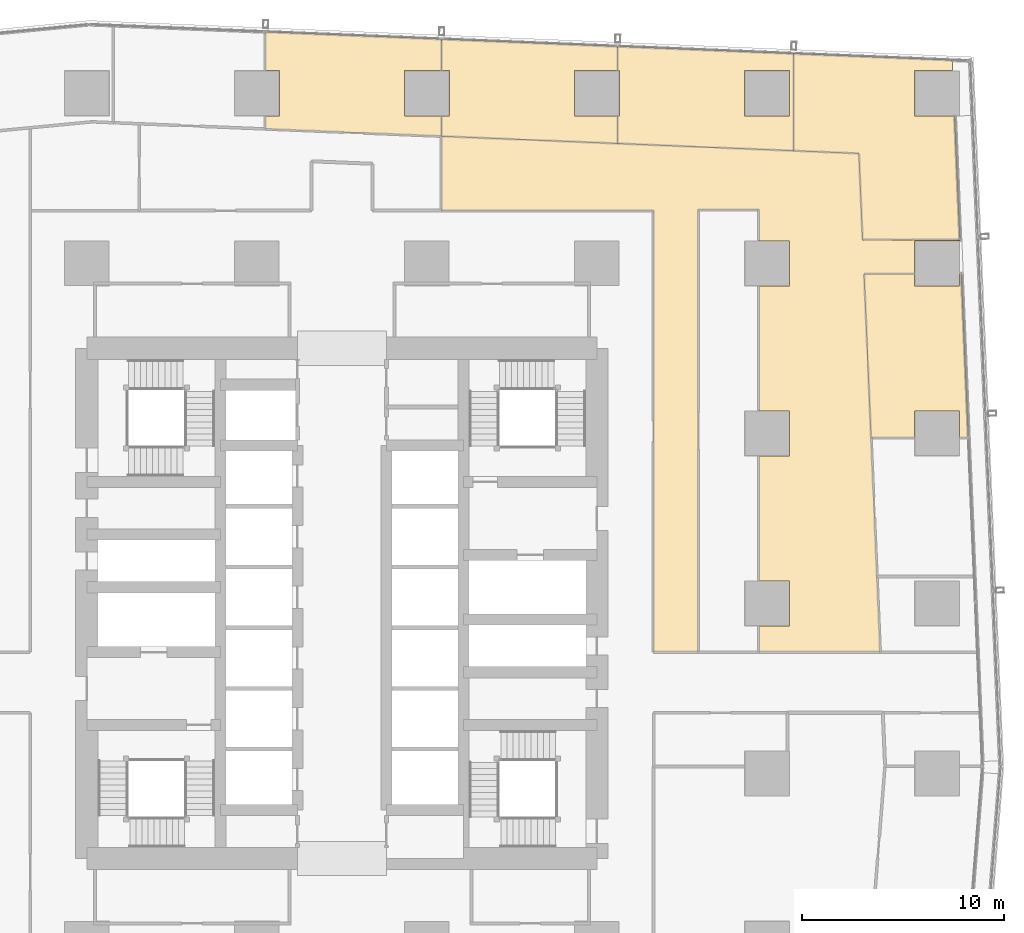
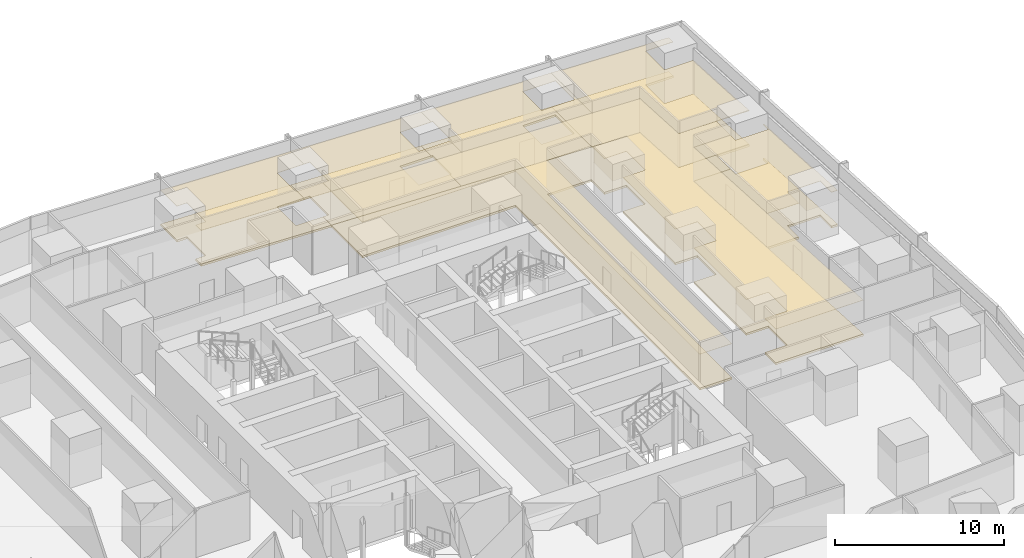
# One storey, part 44 of 44: 12 coverings.
"""IFC4 building model written with IfcOpenShell, lengths in metres."""

from ifc_helpers import new_model, si_unit, direction, frame, origin, place, context, subcontext, project, spatial, polyline, outline, extrude, material, layer, layer_set, type_object, element, save


model = new_model("IFC4")

# Units and contexts
model_context = context("Model", 3, precision=1e-05, world=origin(), true_north=direction((0.0, 1.0)))
body_context = subcontext(model_context, "Body", "Model", "MODEL_VIEW")
ifc_project = project(units=[si_unit("LENGTHUNIT", "METRE"), si_unit("AREAUNIT", "SQUARE_METRE"), si_unit("VOLUMEUNIT", "CUBIC_METRE"), si_unit("PLANEANGLEUNIT", "RADIAN"), si_unit("MASSUNIT", "GRAM", prefix="KILO")], contexts=[model_context])

# Site, building, storey
site_placement = place(None, origin())
site = spatial("IfcSite", under=ifc_project, at=site_placement, CompositionType="ELEMENT")
building_placement = place(site_placement, origin())
building = spatial("IfcBuilding", under=site, at=building_placement, Name="Rekha Terrace Tower", CompositionType="ELEMENT")
storey_placement = place(building_placement, frame((0.0, 0.0, 47.89990234375)))
storey = spatial("IfcBuildingStorey", under=building, at=storey_placement, Name="L11", CompositionType="ELEMENT", Elevation=47.89990234375)

# Coverings
ifc_material_1 = material(Name="Mineral fibre tile in exposed grid", Category="finish")
ifc_layer_1 = layer(ifc_material_1, 0.02001953125)
ifc_layer_set_1 = layer_set([ifc_layer_1], Name="Mineral fibre tile in exposed grid")
covering_type_1 = type_object("IfcCoveringType", Name="CL1 600x1200 office grid ceiling", PredefinedType="CEILING", material=ifc_layer_set_1)
covering_1_placement = place(storey_placement, frame((0.0, 0.0, 2.580078125)))
element("IfcCovering", 1, at=covering_1_placement, inside=storey, type_object=covering_type_1, Name="Ceiling L11-08", PredefinedType="CEILING", context=body_context, shape_type="SweptSolid", body=[
    extrude(outline(polyline([(68.31494140625, 41.781982421875), (68.742919921875, 41.781982421875), (68.39697265625, 49.87890625), (68.31494140625, 49.87890625), (68.31494140625, 49.284912109375), (66.0849609375, 49.284912109375), (66.0849609375, 49.87890625), (63.593017578125, 49.87890625), (63.93896484375, 41.781982421875), (66.0849609375, 41.781982421875), (66.0849609375, 43.114990234375), (68.31494140625, 43.114990234375), (68.31494140625, 41.781982421875)])), origin(), (0.0, 0.0, 1.0), 0.02001953125),
])
covering_2_placement = place(storey_placement, frame((0.0, 0.0, 2.580078125)))
element("IfcCovering", 2, at=covering_2_placement, inside=storey, type_object=covering_type_1, Name="Ceiling L11-09", PredefinedType="CEILING", context=body_context, shape_type="SweptSolid", body=[
    extrude(outline(polyline([(67.946044921875, 60.443115234375), (60.112060546875, 60.76611328125), (60.112060546875, 55.9619140625), (63.339111328125, 55.8291015625), (63.52099609375, 51.556884765625), (68.325927734375, 51.556884765625), (68.06396484375, 57.68505859375), (66.0849609375, 57.68505859375), (66.0849609375, 59.9150390625), (67.968994140625, 59.9150390625), (67.946044921875, 60.443115234375)])), origin(), (0.0, 0.0, 1.0), 0.02001953125),
])
covering_3_placement = place(storey_placement, frame((0.0, 0.0, 2.580078125)))
element("IfcCovering", 3, at=covering_3_placement, inside=storey, type_object=covering_type_1, Name="Ceiling L11-10", PredefinedType="CEILING", context=body_context, shape_type="SweptSolid", body=[
    extrude(outline(polyline([(60.111083984375, 55.9619140625), (60.111083984375, 60.76611328125), (51.416015625, 61.1240234375), (51.416015625, 59.9150390625), (51.514892578125, 59.9150390625), (51.514892578125, 57.68505859375), (51.416015625, 57.68505859375), (51.416015625, 56.320068359375), (60.111083984375, 55.9619140625)]), holes=[polyline([(59.9150390625, 57.68505859375), (57.68505859375, 57.68505859375), (57.68505859375, 59.9150390625), (59.9150390625, 59.9150390625), (59.9150390625, 57.68505859375)])]), origin(), (0.0, 0.0, 1.0), 0.02001953125),
])
covering_4_placement = place(storey_placement, frame((0.0, 0.0, 2.580078125)))
element("IfcCovering", 4, at=covering_4_placement, inside=storey, type_object=covering_type_1, Name="Ceiling L11-11", PredefinedType="CEILING", context=body_context, shape_type="SweptSolid", body=[
    extrude(outline(polyline([(51.4150390625, 59.9150390625), (51.4150390625, 61.125), (42.718994140625, 61.48291015625), (42.718994140625, 59.9150390625), (43.114990234375, 59.9150390625), (43.114990234375, 57.68505859375), (42.718994140625, 57.68505859375), (42.718994140625, 56.678955078125), (51.4150390625, 56.320068359375), (51.4150390625, 57.68505859375), (49.284912109375, 57.68505859375), (49.284912109375, 59.9150390625), (51.4150390625, 59.9150390625)])), origin(), (0.0, 0.0, 1.0), 0.02001953125),
])
covering_5_placement = place(storey_placement, frame((0.0, 0.0, 2.580078125)))
element("IfcCovering", 5, at=covering_5_placement, inside=storey, type_object=covering_type_1, Name="Ceiling L11-O3", PredefinedType="CEILING", context=body_context, shape_type="SweptSolid", body=[
    extrude(outline(polyline([(60.111083984375, 55.9619140625), (51.4150390625, 56.320068359375), (42.718994140625, 56.678955078125), (42.718994140625, 53.0), (53.199951171875, 53.0), (53.199951171875, 31.199951171875), (55.39990234375, 31.199951171875), (55.39990234375, 53.050048828125), (58.39990234375, 53.050048828125), (58.39990234375, 51.514892578125), (59.9150390625, 51.514892578125), (59.9150390625, 49.284912109375), (58.39990234375, 49.284912109375), (58.39990234375, 43.114990234375), (59.9150390625, 43.114990234375), (59.9150390625, 40.885009765625), (58.39990234375, 40.885009765625), (58.39990234375, 34.715087890625), (59.9150390625, 34.715087890625), (59.9150390625, 32.485107421875), (58.39990234375, 32.485107421875), (58.39990234375, 31.199951171875), (64.39111328125, 31.199951171875), (64.23193359375, 34.931884765625), (64.23095703125, 34.931884765625), (63.93798828125, 41.797119140625), (63.593017578125, 49.87890625), (66.0849609375, 49.87890625), (66.0849609375, 51.514892578125), (68.327880859375, 51.514892578125), (68.325927734375, 51.556884765625), (63.52099609375, 51.556884765625), (63.339111328125, 55.8291015625), (60.111083984375, 55.9619140625)])), origin(), (0.0, 0.0, 1.0), 0.02001953125),
])
covering_6_placement = place(storey_placement, frame((0.0, 0.0, 2.580078125)))
element("IfcCovering", 6, at=covering_6_placement, inside=storey, type_object=covering_type_1, Name="Ceiling L11-13", PredefinedType="CEILING", context=body_context, shape_type="SweptSolid", body=[
    extrude(outline(polyline([(34.715087890625, 57.68505859375), (34.02294921875, 57.68505859375), (34.02294921875, 57.037109375), (42.718017578125, 56.678955078125), (42.718017578125, 57.68505859375), (40.885009765625, 57.68505859375), (40.885009765625, 59.9150390625), (42.718017578125, 59.9150390625), (42.718017578125, 61.48291015625), (34.02294921875, 61.841064453125), (34.02294921875, 59.9150390625), (34.715087890625, 59.9150390625), (34.715087890625, 57.68505859375)])), origin(), (0.0, 0.0, 1.0), 0.02001953125),
])
ifc_material_2 = material(Name="Calcium sulphate panels on steel pedestals", Category="steel")
ifc_layer_2 = layer(ifc_material_2, 0.14990234375)
ifc_layer_set_2 = layer_set([ifc_layer_2], Name="Calcium sulphate panels on steel pedestals")
covering_type_2 = type_object("IfcCoveringType", Name="RF1 150 raised access floor", PredefinedType="FLOORING", material=ifc_layer_set_2)
covering_7_placement = place(storey_placement, origin())
element("IfcCovering", 7, at=covering_7_placement, inside=storey, type_object=covering_type_2, Name="Raised floor L11-08", PredefinedType="FLOORING", context=body_context, shape_type="SweptSolid", body=[
    extrude(outline(polyline([(68.31494140625, 41.781982421875), (68.742919921875, 41.781982421875), (68.39697265625, 49.87890625), (68.31494140625, 49.87890625), (68.31494140625, 49.284912109375), (66.0849609375, 49.284912109375), (66.0849609375, 49.87890625), (63.593017578125, 49.87890625), (63.93896484375, 41.781982421875), (66.0849609375, 41.781982421875), (66.0849609375, 43.114990234375), (68.31494140625, 43.114990234375), (68.31494140625, 41.781982421875)])), origin(), (0.0, 0.0, 1.0), 0.150146484375),
])
covering_8_placement = place(storey_placement, origin())
element("IfcCovering", 8, at=covering_8_placement, inside=storey, type_object=covering_type_2, Name="Raised floor L11-09", PredefinedType="FLOORING", context=body_context, shape_type="SweptSolid", body=[
    extrude(outline(polyline([(67.946044921875, 60.443115234375), (60.112060546875, 60.76611328125), (60.112060546875, 55.9619140625), (63.339111328125, 55.8291015625), (63.52099609375, 51.556884765625), (68.325927734375, 51.556884765625), (68.06396484375, 57.68505859375), (66.0849609375, 57.68505859375), (66.0849609375, 59.9150390625), (67.968994140625, 59.9150390625), (67.946044921875, 60.443115234375)])), origin(), (0.0, 0.0, 1.0), 0.150146484375),
])
covering_9_placement = place(storey_placement, origin())
element("IfcCovering", 9, at=covering_9_placement, inside=storey, type_object=covering_type_2, Name="Raised floor L11-10", PredefinedType="FLOORING", context=body_context, shape_type="SweptSolid", body=[
    extrude(outline(polyline([(60.111083984375, 55.9619140625), (60.111083984375, 60.76611328125), (51.416015625, 61.1240234375), (51.416015625, 59.9150390625), (51.514892578125, 59.9150390625), (51.514892578125, 57.68505859375), (51.416015625, 57.68505859375), (51.416015625, 56.320068359375), (60.111083984375, 55.9619140625)]), holes=[polyline([(59.9150390625, 57.68505859375), (57.68505859375, 57.68505859375), (57.68505859375, 59.9150390625), (59.9150390625, 59.9150390625), (59.9150390625, 57.68505859375)])]), origin(), (0.0, 0.0, 1.0), 0.150146484375),
])
covering_10_placement = place(storey_placement, origin())
element("IfcCovering", 10, at=covering_10_placement, inside=storey, type_object=covering_type_2, Name="Raised floor L11-11", PredefinedType="FLOORING", context=body_context, shape_type="SweptSolid", body=[
    extrude(outline(polyline([(51.4150390625, 59.9150390625), (51.4150390625, 61.125), (42.718994140625, 61.48291015625), (42.718994140625, 59.9150390625), (43.114990234375, 59.9150390625), (43.114990234375, 57.68505859375), (42.718994140625, 57.68505859375), (42.718994140625, 56.678955078125), (51.4150390625, 56.320068359375), (51.4150390625, 57.68505859375), (49.284912109375, 57.68505859375), (49.284912109375, 59.9150390625), (51.4150390625, 59.9150390625)])), origin(), (0.0, 0.0, 1.0), 0.150146484375),
])
covering_11_placement = place(storey_placement, origin())
element("IfcCovering", 11, at=covering_11_placement, inside=storey, type_object=covering_type_2, Name="Raised floor L11-O3", PredefinedType="FLOORING", context=body_context, shape_type="SweptSolid", body=[
    extrude(outline(polyline([(60.111083984375, 55.9619140625), (51.4150390625, 56.320068359375), (42.718994140625, 56.678955078125), (42.718994140625, 53.0), (53.199951171875, 53.0), (53.199951171875, 31.199951171875), (55.39990234375, 31.199951171875), (55.39990234375, 53.050048828125), (58.39990234375, 53.050048828125), (58.39990234375, 51.514892578125), (59.9150390625, 51.514892578125), (59.9150390625, 49.284912109375), (58.39990234375, 49.284912109375), (58.39990234375, 43.114990234375), (59.9150390625, 43.114990234375), (59.9150390625, 40.885009765625), (58.39990234375, 40.885009765625), (58.39990234375, 34.715087890625), (59.9150390625, 34.715087890625), (59.9150390625, 32.485107421875), (58.39990234375, 32.485107421875), (58.39990234375, 31.199951171875), (64.39111328125, 31.199951171875), (64.23193359375, 34.931884765625), (64.23095703125, 34.931884765625), (63.93798828125, 41.797119140625), (63.593017578125, 49.87890625), (66.0849609375, 49.87890625), (66.0849609375, 51.514892578125), (68.327880859375, 51.514892578125), (68.325927734375, 51.556884765625), (63.52099609375, 51.556884765625), (63.339111328125, 55.8291015625), (60.111083984375, 55.9619140625)])), origin(), (0.0, 0.0, 1.0), 0.150146484375),
])
covering_12_placement = place(storey_placement, origin())
element("IfcCovering", 12, at=covering_12_placement, inside=storey, type_object=covering_type_2, Name="Raised floor L11-13", PredefinedType="FLOORING", context=body_context, shape_type="SweptSolid", body=[
    extrude(outline(polyline([(34.715087890625, 57.68505859375), (34.02294921875, 57.68505859375), (34.02294921875, 57.037109375), (42.718017578125, 56.678955078125), (42.718017578125, 57.68505859375), (40.885009765625, 57.68505859375), (40.885009765625, 59.9150390625), (42.718017578125, 59.9150390625), (42.718017578125, 61.48291015625), (34.02294921875, 61.841064453125), (34.02294921875, 59.9150390625), (34.715087890625, 59.9150390625), (34.715087890625, 57.68505859375)])), origin(), (0.0, 0.0, 1.0), 0.150146484375),
])

save(model, "model.ifc")
